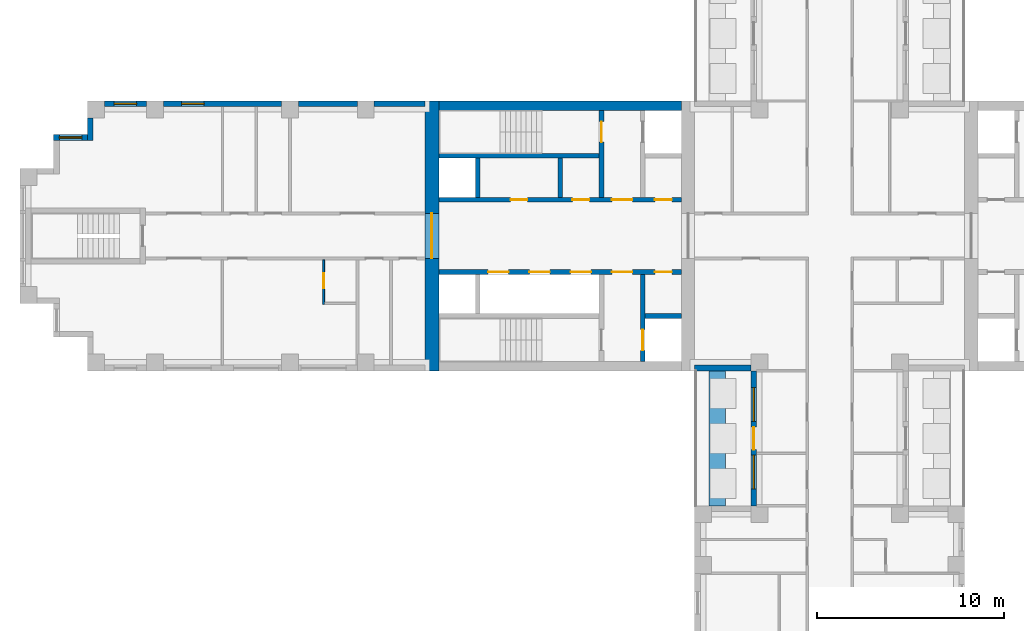
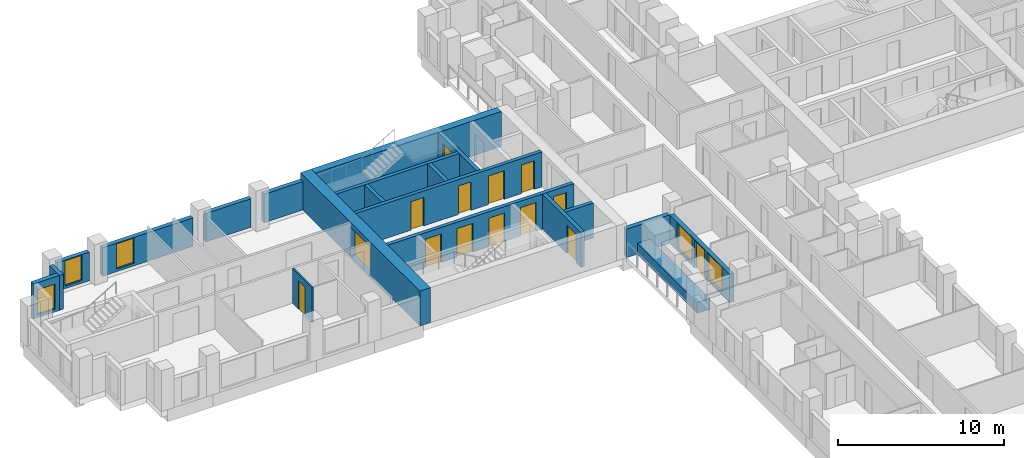
# One storey, part 6 of 13: 20 walls, 14 doors, 5 windows, 19 openings.
"""IFC4 building model written with IfcOpenShell, lengths in metres."""

from ifc_helpers import new_model, si_unit, direction, frame, frame_2d, origin, place, context, subcontext, project, spatial, rectangle, extrude, material, layer, layer_set, type_object, element, fill, save


model = new_model("IFC4")

# Units and contexts
model_context = context("Model", 3, precision=1e-05, world=origin(), true_north=direction((0.0, 1.0)))
body_context = subcontext(model_context, "Body", "Model", "MODEL_VIEW")
ifc_project = project(units=[si_unit("LENGTHUNIT", "METRE"), si_unit("AREAUNIT", "SQUARE_METRE"), si_unit("VOLUMEUNIT", "CUBIC_METRE"), si_unit("PLANEANGLEUNIT", "RADIAN"), si_unit("MASSUNIT", "GRAM", prefix="KILO")], contexts=[model_context])

# Site, building, storey
site_placement = place(None, origin())
site = spatial("IfcSite", under=ifc_project, at=site_placement, CompositionType="ELEMENT")
building_placement = place(site_placement, origin())
building = spatial("IfcBuilding", under=site, at=building_placement, Name="Fustian Cross Tower", CompositionType="ELEMENT")
storey_placement = place(building_placement, frame((0.0, 0.0, 75.89990234375)))
storey = spatial("IfcBuildingStorey", under=building, at=storey_placement, Name="L23", CompositionType="ELEMENT", Elevation=75.89990234375)

# Wall, opening, door
ifc_material_1 = material(Name="Concrete C70/85", Category="concrete")
ifc_layer_1 = layer(ifc_material_1, 0.75)
ifc_layer_set_1 = layer_set([ifc_layer_1], Name="Concrete C70/85")
wall_type_1 = type_object("IfcWallType", Name="CORE END WALL 750 C70/85", PredefinedType="SHEAR", material=ifc_layer_set_1)
wall_1_placement = place(storey_placement, frame((-21.22509765625, -7.199951171875, 0.0), z_axis=(0.0, 0.0, 1.0), x_axis=(0.0, 1.0, 0.0)))
wall_1 = element("IfcWall", 1, at=wall_1_placement, inside=storey, type_object=wall_type_1, Name="Core end wall", PredefinedType="SHEAR", context=body_context, shape_type="SweptSolid", body=[
    extrude(rectangle(XDim=14.39990234375, YDim=0.75, at=frame_2d((7.199951171875, 0.0))), origin(), (0.0, 0.0, 1.0), 2.5751953125),
])
opening_1_placement = place(wall_1_placement, frame((6.0, 0.0, 0.0)))
opening_1 = element("IfcOpeningElement", 2, at=opening_1_placement, cuts=wall_1, Name="Opening CD-10-28", PredefinedType="OPENING", context=body_context, shape_type="SweptSolid", body=[
    extrude(rectangle(XDim=2.39990234375, YDim=2.199951171875, at=frame_2d((1.199951171875, 1.10009765625))), frame((0.0, 0.385009765625, 0.0), z_axis=(0.0, -1.0, 0.0), x_axis=(1.0, 0.0, 0.0)), (0.0, 0.0, 1.0), 0.77001953125),
])
ifc_material_2 = material(Name="Steel", Category="steel")
door_type_1 = type_object("IfcDoorType", Name="FIRE DOOR FD30S DOUBLE 2400X2200", OperationType="DOUBLE_DOOR_DOUBLE_SWING", PredefinedType="DOOR", material=ifc_material_2)
door_1_placement = place(opening_1_placement, frame((2.39990234375, 0.0, 0.0), z_axis=(0.0, 0.0, 1.0), x_axis=(-1.0, 0.0, 0.0)))
door_1 = element("IfcDoor", 3, at=door_1_placement, inside=storey, type_object=door_type_1, Name="Core door CD-10-28", OperationType="DOUBLE_DOOR_DOUBLE_SWING", OverallHeight=2.199951171875, OverallWidth=2.39990234375, PredefinedType="DOOR", context=body_context, shape_type="SweptSolid", body=[
    extrude(rectangle(XDim=2.39990234375, YDim=2.199951171875, at=frame_2d((1.199951171875, 1.10009765625))), frame((0.0, 0.02490234375, 0.0), z_axis=(0.0, -1.0, 0.0), x_axis=(1.0, 0.0, 0.0)), (0.0, 0.0, 1.0), 0.050048828125),
])
fill(opening_1, door_1)

# Wall
ifc_material_3 = material(Name="Concrete C70/85", Category="concrete")
ifc_layer_2 = layer(ifc_material_3, 0.5)
ifc_layer_set_2 = layer_set([ifc_layer_2], Name="Concrete C70/85")
wall_type_2 = type_object("IfcWallType", Name="CORE FACADE WALL 500 C70/85", PredefinedType="SHEAR", material=ifc_layer_set_2)
wall_2_placement = place(storey_placement, frame((-7.89990234375, 6.949951171875, 0.0), z_axis=(0.0, 0.0, 1.0), x_axis=(-1.0, 0.0, 0.0)))
element("IfcWall", 4, at=wall_2_placement, inside=storey, type_object=wall_type_2, Name="Core facade wall", PredefinedType="SHEAR", context=body_context, shape_type="SweptSolid", body=[
    extrude(rectangle(XDim=12.9501953125, YDim=0.5, at=frame_2d((6.47509765625, 0.0))), origin(), (0.0, 0.0, 1.0), 2.5751953125),
])

# Wall, openings, doors
ifc_material_4 = material(Name="Concrete C50/60", Category="concrete")
ifc_layer_3 = layer(ifc_material_4, 0.25)
ifc_layer_set_3 = layer_set([ifc_layer_3], Name="Concrete C50/60")
wall_type_3 = type_object("IfcWallType", Name="CORE LOBBY WALL 250 C50/60", PredefinedType="SHEAR", material=ifc_layer_set_3)
wall_3_placement = place(storey_placement, frame((-7.89990234375, 1.925048828125, 0.0), z_axis=(0.0, 0.0, 1.0), x_axis=(-1.0, 0.0, 0.0)))
wall_3 = element("IfcWall", 5, at=wall_3_placement, inside=storey, type_object=wall_type_3, Name="Core lobby wall", PredefinedType="SHEAR", context=body_context, shape_type="SweptSolid", body=[
    extrude(rectangle(XDim=12.9501953125, YDim=0.25, at=frame_2d((6.47509765625, 0.0))), origin(), (0.0, 0.0, 1.0), 2.5751953125),
])
opening_2_placement = place(wall_3_placement, frame((0.52490234375, 0.0, 0.0)))
opening_2 = element("IfcOpeningElement", 6, at=opening_2_placement, cuts=wall_3, Name="Opening CD-10-23", PredefinedType="OPENING", context=body_context, shape_type="SweptSolid", body=[
    extrude(rectangle(XDim=0.89990234375, YDim=2.10009765625, at=frame_2d((0.449951171875, 1.050048828125))), frame((0.0, 0.135009765625, 0.0), z_axis=(0.0, -1.0, 0.0), x_axis=(1.0, 0.0, 0.0)), (0.0, 0.0, 1.0), 0.27001953125),
])
opening_3_placement = place(wall_3_placement, frame((2.625, 0.0, 0.0)))
opening_3 = element("IfcOpeningElement", 7, at=opening_3_placement, cuts=wall_3, Name="Opening CD-10-25", PredefinedType="OPENING", context=body_context, shape_type="SweptSolid", body=[
    extrude(rectangle(XDim=1.10009765625, YDim=2.10009765625, at=frame_2d((0.550048828125, 1.050048828125))), frame((0.0, 0.135009765625, 0.0), z_axis=(0.0, -1.0, 0.0), x_axis=(1.0, 0.0, 0.0)), (0.0, 0.0, 1.0), 0.27001953125),
])
opening_4_placement = place(wall_3_placement, frame((4.925048828125, 0.0, 0.0)))
opening_4 = element("IfcOpeningElement", 8, at=opening_4_placement, cuts=wall_3, Name="Opening CD-10-29", PredefinedType="OPENING", context=body_context, shape_type="SweptSolid", body=[
    extrude(rectangle(XDim=0.89990234375, YDim=2.10009765625, at=frame_2d((0.449951171875, 1.050048828125))), frame((0.0, 0.135009765625, 0.0), z_axis=(0.0, -1.0, 0.0), x_axis=(1.0, 0.0, 0.0)), (0.0, 0.0, 1.0), 0.27001953125),
])
opening_5_placement = place(wall_3_placement, frame((8.22509765625, 0.0, 0.0)))
opening_5 = element("IfcOpeningElement", 9, at=opening_5_placement, cuts=wall_3, Name="Opening CD-10-30", PredefinedType="OPENING", context=body_context, shape_type="SweptSolid", body=[
    extrude(rectangle(XDim=0.89990234375, YDim=2.10009765625, at=frame_2d((0.449951171875, 1.050048828125))), frame((0.0, 0.135009765625, 0.0), z_axis=(0.0, -1.0, 0.0), x_axis=(1.0, 0.0, 0.0)), (0.0, 0.0, 1.0), 0.27001953125),
])
ifc_material_5 = material(Name="Steel", Category="steel")
door_type_2 = type_object("IfcDoorType", Name="FIRE DOOR FD30S 900X2100", OperationType="SINGLE_SWING_LEFT", PredefinedType="DOOR", material=ifc_material_5)
door_2_placement = place(opening_4_placement, frame((0.89990234375, 0.0, 0.0), z_axis=(0.0, 0.0, 1.0), x_axis=(-1.0, 0.0, 0.0)))
door_2 = element("IfcDoor", 10, at=door_2_placement, inside=storey, type_object=door_type_2, Name="Core door CD-10-29", OperationType="SINGLE_SWING_RIGHT", OverallHeight=2.10009765625, OverallWidth=0.89990234375, PredefinedType="DOOR", context=body_context, shape_type="SweptSolid", body=[
    extrude(rectangle(XDim=0.89990234375, YDim=2.10009765625, at=frame_2d((0.449951171875, 1.050048828125))), frame((0.0, 0.02490234375, 0.0), z_axis=(0.0, -1.0, 0.0), x_axis=(1.0, 0.0, 0.0)), (0.0, 0.0, 1.0), 0.050048828125),
])
fill(opening_4, door_2)
door_3_placement = place(opening_5_placement, frame((0.89990234375, 0.0, 0.0), z_axis=(0.0, 0.0, 1.0), x_axis=(-1.0, 0.0, 0.0)))
door_3 = element("IfcDoor", 11, at=door_3_placement, inside=storey, type_object=door_type_2, Name="Core door CD-10-30", OperationType="SINGLE_SWING_LEFT", OverallHeight=2.10009765625, OverallWidth=0.89990234375, PredefinedType="DOOR", context=body_context, shape_type="SweptSolid", body=[
    extrude(rectangle(XDim=0.89990234375, YDim=2.10009765625, at=frame_2d((0.449951171875, 1.050048828125))), frame((0.0, 0.02490234375, 0.0), z_axis=(0.0, -1.0, 0.0), x_axis=(1.0, 0.0, 0.0)), (0.0, 0.0, 1.0), 0.050048828125),
])
fill(opening_5, door_3)
ifc_material_6 = material(Name="Steel", Category="steel")
door_type_3 = type_object("IfcDoorType", Name="FIRE DOOR FD60S 1100X2100", OperationType="SINGLE_SWING_LEFT", PredefinedType="DOOR", material=ifc_material_6)
door_4_placement = place(opening_3_placement, frame((1.10009765625, 0.0, 0.0), z_axis=(0.0, 0.0, 1.0), x_axis=(-1.0, 0.0, 0.0)))
door_4 = element("IfcDoor", 12, at=door_4_placement, inside=storey, type_object=door_type_3, Name="Core door CD-10-25", OperationType="SINGLE_SWING_RIGHT", OverallHeight=2.10009765625, OverallWidth=1.10009765625, PredefinedType="DOOR", context=body_context, shape_type="SweptSolid", body=[
    extrude(rectangle(XDim=1.10009765625, YDim=2.10009765625, at=frame_2d((0.550048828125, 1.050048828125))), frame((0.0, 0.02490234375, 0.0), z_axis=(0.0, -1.0, 0.0), x_axis=(1.0, 0.0, 0.0)), (0.0, 0.0, 1.0), 0.050048828125),
])
fill(opening_3, door_4)
ifc_material_7 = material(Name="Steel", Category="steel")
door_type_4 = type_object("IfcDoorType", Name="FIRE DOOR FD60S 900X2100", OperationType="SINGLE_SWING_LEFT", PredefinedType="DOOR", material=ifc_material_7)
door_5_placement = place(opening_2_placement, frame((0.89990234375, 0.0, 0.0), z_axis=(0.0, 0.0, 1.0), x_axis=(-1.0, 0.0, 0.0)))
door_5 = element("IfcDoor", 13, at=door_5_placement, inside=storey, type_object=door_type_4, Name="Core door CD-10-23", OperationType="SINGLE_SWING_RIGHT", OverallHeight=2.10009765625, OverallWidth=0.89990234375, PredefinedType="DOOR", context=body_context, shape_type="SweptSolid", body=[
    extrude(rectangle(XDim=0.89990234375, YDim=2.10009765625, at=frame_2d((0.449951171875, 1.050048828125))), frame((0.0, 0.02490234375, 0.0), z_axis=(0.0, -1.0, 0.0), x_axis=(1.0, 0.0, 0.0)), (0.0, 0.0, 1.0), 0.050048828125),
])
fill(opening_2, door_5)

wall_4_placement = place(storey_placement, frame((-7.89990234375, -1.925048828125, 0.0), z_axis=(0.0, 0.0, 1.0), x_axis=(-1.0, 0.0, 0.0)))
wall_4 = element("IfcWall", 14, at=wall_4_placement, inside=storey, type_object=wall_type_3, Name="Core lobby wall", PredefinedType="SHEAR", context=body_context, shape_type="SweptSolid", body=[
    extrude(rectangle(XDim=12.9501953125, YDim=0.25, at=frame_2d((6.47509765625, 0.0))), origin(), (0.0, 0.0, 1.0), 2.5751953125),
])
opening_6_placement = place(wall_4_placement, frame((4.824951171875, 0.0, 0.0)))
opening_6 = element("IfcOpeningElement", 15, at=opening_6_placement, cuts=wall_4, Name="Opening LD", PredefinedType="OPENING", context=body_context, shape_type="SweptSolid", body=[
    extrude(rectangle(XDim=1.10009765625, YDim=2.10009765625, at=frame_2d((0.550048828125, 1.050048828125))), frame((0.0, 0.135009765625, 0.0), z_axis=(0.0, -1.0, 0.0), x_axis=(1.0, 0.0, 0.0)), (0.0, 0.0, 1.0), 0.27001953125),
])
opening_7_placement = place(wall_4_placement, frame((7.02490234375, 0.0, 0.0)))
opening_7 = element("IfcOpeningElement", 16, at=opening_7_placement, cuts=wall_4, Name="Opening LD", PredefinedType="OPENING", context=body_context, shape_type="SweptSolid", body=[
    extrude(rectangle(XDim=1.10009765625, YDim=2.10009765625, at=frame_2d((0.550048828125, 1.050048828125))), frame((0.0, 0.135009765625, 0.0), z_axis=(0.0, -1.0, 0.0), x_axis=(1.0, 0.0, 0.0)), (0.0, 0.0, 1.0), 0.27001953125),
])
opening_8_placement = place(wall_4_placement, frame((9.22509765625, 0.0, 0.0)))
opening_8 = element("IfcOpeningElement", 17, at=opening_8_placement, cuts=wall_4, Name="Opening LD", PredefinedType="OPENING", context=body_context, shape_type="SweptSolid", body=[
    extrude(rectangle(XDim=1.10009765625, YDim=2.10009765625, at=frame_2d((0.550048828125, 1.050048828125))), frame((0.0, 0.135009765625, 0.0), z_axis=(0.0, -1.0, 0.0), x_axis=(1.0, 0.0, 0.0)), (0.0, 0.0, 1.0), 0.27001953125),
])
opening_9_placement = place(wall_4_placement, frame((0.52490234375, 0.0, 0.0)))
opening_9 = element("IfcOpeningElement", 18, at=opening_9_placement, cuts=wall_4, Name="Opening CD-10-24", PredefinedType="OPENING", context=body_context, shape_type="SweptSolid", body=[
    extrude(rectangle(XDim=0.89990234375, YDim=2.10009765625, at=frame_2d((0.449951171875, 1.050048828125))), frame((0.0, 0.135009765625, 0.0), z_axis=(0.0, -1.0, 0.0), x_axis=(1.0, 0.0, 0.0)), (0.0, 0.0, 1.0), 0.27001953125),
])
opening_10_placement = place(wall_4_placement, frame((2.625, 0.0, 0.0)))
opening_10 = element("IfcOpeningElement", 19, at=opening_10_placement, cuts=wall_4, Name="Opening CD-10-26", PredefinedType="OPENING", context=body_context, shape_type="SweptSolid", body=[
    extrude(rectangle(XDim=1.10009765625, YDim=2.10009765625, at=frame_2d((0.550048828125, 1.050048828125))), frame((0.0, 0.135009765625, 0.0), z_axis=(0.0, -1.0, 0.0), x_axis=(1.0, 0.0, 0.0)), (0.0, 0.0, 1.0), 0.27001953125),
])
ifc_material_8 = material(Name="Steel", Category="steel")
door_type_5 = type_object("IfcDoorType", Name="FIRE DOOR FD30S 1100X2100", OperationType="SINGLE_SWING_LEFT", PredefinedType="DOOR", material=ifc_material_8)
door_6_placement = place(opening_10_placement, frame((1.10009765625, 0.0, 0.0), z_axis=(0.0, 0.0, 1.0), x_axis=(-1.0, 0.0, 0.0)))
door_6 = element("IfcDoor", 20, at=door_6_placement, inside=storey, type_object=door_type_5, Name="Core door CD-10-26", OperationType="SINGLE_SWING_RIGHT", OverallHeight=2.10009765625, OverallWidth=1.10009765625, PredefinedType="DOOR", context=body_context, shape_type="SweptSolid", body=[
    extrude(rectangle(XDim=1.10009765625, YDim=2.10009765625, at=frame_2d((0.550048828125, 1.050048828125))), frame((0.0, 0.02490234375, 0.0), z_axis=(0.0, -1.0, 0.0), x_axis=(1.0, 0.0, 0.0)), (0.0, 0.0, 1.0), 0.050048828125),
])
fill(opening_10, door_6)
door_7_placement = place(opening_9_placement, origin())
door_7 = element("IfcDoor", 21, at=door_7_placement, inside=storey, type_object=door_type_2, Name="Core door CD-10-24", OperationType="SINGLE_SWING_LEFT", OverallHeight=2.10009765625, OverallWidth=0.89990234375, PredefinedType="DOOR", context=body_context, shape_type="SweptSolid", body=[
    extrude(rectangle(XDim=0.89990234375, YDim=2.10009765625, at=frame_2d((0.449951171875, 1.050048828125))), frame((0.0, 0.02490234375, 0.0), z_axis=(0.0, -1.0, 0.0), x_axis=(1.0, 0.0, 0.0)), (0.0, 0.0, 1.0), 0.050048828125),
])
fill(opening_9, door_7)
ifc_material_9 = material(Name="Stainless steel", Category="steel")
door_type_6 = type_object("IfcDoorType", Name="LIFT LANDING DOOR 1100X2100", OperationType="SLIDING_TO_LEFT", PredefinedType="DOOR", material=ifc_material_9)
door_8_placement = place(opening_6_placement, origin())
door_8 = element("IfcDoor", 22, at=door_8_placement, inside=storey, type_object=door_type_6, Name="Landing door LR1W", OperationType="SLIDING_TO_LEFT", OverallHeight=2.10009765625, OverallWidth=1.10009765625, PredefinedType="DOOR", context=body_context, shape_type="SweptSolid", body=[
    extrude(rectangle(XDim=1.10009765625, YDim=2.10009765625, at=frame_2d((0.550048828125, 1.050048828125))), frame((0.0, 0.02490234375, 0.0), z_axis=(0.0, -1.0, 0.0), x_axis=(1.0, 0.0, 0.0)), (0.0, 0.0, 1.0), 0.050048828125),
])
fill(opening_6, door_8)
door_9_placement = place(opening_7_placement, origin())
door_9 = element("IfcDoor", 23, at=door_9_placement, inside=storey, type_object=door_type_6, Name="Landing door LR2W", OperationType="SLIDING_TO_LEFT", OverallHeight=2.10009765625, OverallWidth=1.10009765625, PredefinedType="DOOR", context=body_context, shape_type="SweptSolid", body=[
    extrude(rectangle(XDim=1.10009765625, YDim=2.10009765625, at=frame_2d((0.550048828125, 1.050048828125))), frame((0.0, 0.02490234375, 0.0), z_axis=(0.0, -1.0, 0.0), x_axis=(1.0, 0.0, 0.0)), (0.0, 0.0, 1.0), 0.050048828125),
])
fill(opening_7, door_9)
door_10_placement = place(opening_8_placement, origin())
door_10 = element("IfcDoor", 24, at=door_10_placement, inside=storey, type_object=door_type_6, Name="Landing door LR3W", OperationType="SLIDING_TO_LEFT", OverallHeight=2.10009765625, OverallWidth=1.10009765625, PredefinedType="DOOR", context=body_context, shape_type="SweptSolid", body=[
    extrude(rectangle(XDim=1.10009765625, YDim=2.10009765625, at=frame_2d((0.550048828125, 1.050048828125))), frame((0.0, 0.02490234375, 0.0), z_axis=(0.0, -1.0, 0.0), x_axis=(1.0, 0.0, 0.0)), (0.0, 0.0, 1.0), 0.050048828125),
])
fill(opening_8, door_10)

# Wall
ifc_material_10 = material(Name="Concrete C50/60", Category="concrete")
ifc_layer_4 = layer(ifc_material_10, 0.25)
ifc_layer_set_4 = layer_set([ifc_layer_4], Name="Concrete C50/60")
wall_type_4 = type_object("IfcWallType", Name="CORE SHAFT WALL 250 C50/60", PredefinedType="SHEAR", material=ifc_layer_set_4)
wall_5_placement = place(storey_placement, frame((-12.300048828125, 4.27490234375, 0.0), z_axis=(0.0, 0.0, 1.0), x_axis=(-1.0, 0.0, 0.0)))
element("IfcWall", 25, at=wall_5_placement, inside=storey, type_object=wall_type_4, Name="Core shaft wall", PredefinedType="SHEAR", context=body_context, shape_type="SweptSolid", body=[
    extrude(rectangle(XDim=8.550048828125, YDim=0.25, at=frame_2d((4.27490234375, 0.0))), origin(), (0.0, 0.0, 1.0), 2.5751953125),
])

# Wall, opening, door
wall_6_placement = place(storey_placement, frame((-12.175048828125, 2.050048828125, 0.0), z_axis=(0.0, 0.0, 1.0), x_axis=(0.0, 1.0, 0.0)))
wall_6 = element("IfcWall", 26, at=wall_6_placement, inside=storey, type_object=wall_type_4, Name="Core shaft wall", PredefinedType="SHEAR", context=body_context, shape_type="SweptSolid", body=[
    extrude(rectangle(XDim=4.64990234375, YDim=0.25, at=frame_2d((2.324951171875, 0.0))), origin(), (0.0, 0.0, 1.0), 2.5751953125),
])
opening_11_placement = place(wall_6_placement, frame((2.949951171875, 0.0, 0.0)))
opening_11 = element("IfcOpeningElement", 27, at=opening_11_placement, cuts=wall_6, Name="Opening CD-10-21", PredefinedType="OPENING", context=body_context, shape_type="SweptSolid", body=[
    extrude(rectangle(XDim=1.10009765625, YDim=2.10009765625, at=frame_2d((0.550048828125, 1.050048828125))), frame((0.0, 0.135009765625, 0.0), z_axis=(0.0, -1.0, 0.0), x_axis=(1.0, 0.0, 0.0)), (0.0, 0.0, 1.0), 0.27001953125),
])
door_11_placement = place(opening_11_placement, origin())
door_11 = element("IfcDoor", 28, at=door_11_placement, inside=storey, type_object=door_type_3, Name="Core door CD-10-21", OperationType="SINGLE_SWING_LEFT", OverallHeight=2.10009765625, OverallWidth=1.10009765625, PredefinedType="DOOR", context=body_context, shape_type="SweptSolid", body=[
    extrude(rectangle(XDim=1.10009765625, YDim=2.10009765625, at=frame_2d((0.550048828125, 1.050048828125))), frame((0.0, 0.02490234375, 0.0), z_axis=(0.0, -1.0, 0.0), x_axis=(1.0, 0.0, 0.0)), (0.0, 0.0, 1.0), 0.050048828125),
])
fill(opening_11, door_11)

# Wall
wall_7_placement = place(storey_placement, frame((-7.89990234375, -4.27490234375, 0.0), z_axis=(0.0, 0.0, 1.0), x_axis=(-1.0, 0.0, 0.0)))
element("IfcWall", 29, at=wall_7_placement, inside=storey, type_object=wall_type_4, Name="Core shaft wall", PredefinedType="SHEAR", context=body_context, shape_type="SweptSolid", body=[
    extrude(rectangle(XDim=1.9501953125, YDim=0.25, at=frame_2d((0.97509765625, 0.0))), origin(), (0.0, 0.0, 1.0), 2.5751953125),
])

# Wall, opening, door
wall_8_placement = place(storey_placement, frame((-9.97509765625, -2.050048828125, 0.0), z_axis=(0.0, 0.0, 1.0), x_axis=(0.0, -1.0, 0.0)))
wall_8 = element("IfcWall", 30, at=wall_8_placement, inside=storey, type_object=wall_type_4, Name="Core shaft wall", PredefinedType="SHEAR", context=body_context, shape_type="SweptSolid", body=[
    extrude(rectangle(XDim=4.64990234375, YDim=0.25, at=frame_2d((2.324951171875, 0.0))), origin(), (0.0, 0.0, 1.0), 2.5751953125),
])
opening_12_placement = place(wall_8_placement, frame((2.949951171875, 0.0, 0.0)))
opening_12 = element("IfcOpeningElement", 31, at=opening_12_placement, cuts=wall_8, Name="Opening LD", PredefinedType="OPENING", context=body_context, shape_type="SweptSolid", body=[
    extrude(rectangle(XDim=1.10009765625, YDim=2.10009765625, at=frame_2d((0.550048828125, 1.050048828125))), frame((0.0, 0.135009765625, 0.0), z_axis=(0.0, -1.0, 0.0), x_axis=(1.0, 0.0, 0.0)), (0.0, 0.0, 1.0), 0.27001953125),
])
door_12_placement = place(opening_12_placement, origin())
door_12 = element("IfcDoor", 32, at=door_12_placement, inside=storey, type_object=door_type_6, Name="Landing door SV1W", OperationType="SLIDING_TO_LEFT", OverallHeight=2.10009765625, OverallWidth=1.10009765625, PredefinedType="DOOR", context=body_context, shape_type="SweptSolid", body=[
    extrude(rectangle(XDim=1.10009765625, YDim=2.10009765625, at=frame_2d((0.550048828125, 1.050048828125))), frame((0.0, 0.02490234375, 0.0), z_axis=(0.0, -1.0, 0.0), x_axis=(1.0, 0.0, 0.0)), (0.0, 0.0, 1.0), 0.050048828125),
])
fill(opening_12, door_12)

ifc_material_11 = material(Name="Plasterboard on steel stud", Category="steel")
ifc_layer_5 = layer(ifc_material_11, 0.10009765625)
ifc_layer_set_5 = layer_set([ifc_layer_5], Name="Plasterboard on steel stud")
wall_type_5 = type_object("IfcWallType", Name="PARTITION 100 STUD", PredefinedType="PARTITIONING", material=ifc_layer_set_5)
wall_9_placement = place(storey_placement, frame((-27.0, -3.64990234375, 0.0), z_axis=(0.0, 0.0, 1.0), x_axis=(0.0, 1.0, 0.0)))
wall_9 = element("IfcWall", 33, at=wall_9_placement, inside=storey, type_object=wall_type_5, Name="Partition 7", PredefinedType="PARTITIONING", context=body_context, shape_type="SweptSolid", body=[
    extrude(rectangle(XDim=2.375, YDim=0.10009765625, at=frame_2d((1.1875, 0.0))), origin(), (0.0, 0.0, 1.0), 2.5751953125),
])
opening_13_placement = place(wall_9_placement, frame((0.85009765625, 0.0, 0.0)))
opening_13 = element("IfcOpeningElement", 34, at=opening_13_placement, cuts=wall_9, Name="Opening D12030", PredefinedType="OPENING", context=body_context, shape_type="SweptSolid", body=[
    extrude(rectangle(XDim=0.800048828125, YDim=2.10009765625, at=frame_2d((0.39990234375, 1.050048828125))), frame((0.0, 0.06005859375, 0.0), z_axis=(0.0, -1.0, 0.0), x_axis=(1.0, 0.0, 0.0)), (0.0, 0.0, 1.0), 0.1201171875),
])
ifc_material_12 = material(Name="Painted timber", Category="wood")
door_type_7 = type_object("IfcDoorType", Name="SWING DOOR 800", OperationType="SINGLE_SWING_LEFT", PredefinedType="DOOR", material=ifc_material_12)
door_13_placement = place(opening_13_placement, frame((0.800048828125, 0.0, 0.0), z_axis=(0.0, 0.0, 1.0), x_axis=(-1.0, 0.0, 0.0)))
door_13 = element("IfcDoor", 35, at=door_13_placement, inside=storey, type_object=door_type_7, Name="Door D12030", OperationType="SINGLE_SWING_RIGHT", OverallHeight=2.10009765625, OverallWidth=0.800048828125, PredefinedType="DOOR", context=body_context, shape_type="SweptSolid", body=[
    extrude(rectangle(XDim=0.800048828125, YDim=2.10009765625, at=frame_2d((0.39990234375, 1.050048828125))), frame((0.0, 0.02490234375, 0.0), z_axis=(0.0, -1.0, 0.0), x_axis=(1.0, 0.0, 0.0)), (0.0, 0.0, 1.0), 0.050048828125),
])
fill(opening_13, door_13)

# Walls
ifc_material_13 = material(Name="Concrete C40/50", Category="concrete")
ifc_layer_6 = layer(ifc_material_13, 0.89990234375)
ifc_layer_set_6 = layer_set([ifc_layer_6], Name="Concrete C40/50")
wall_type_6 = type_object("IfcWallType", Name="PK1 PLANTER 900", PredefinedType="PARAPET", material=ifc_layer_set_6)
wall_10_placement = place(storey_placement, frame((-6.0, -14.39990234375, 0.0), z_axis=(0.0, 0.0, 1.0), x_axis=(0.0, 1.0, 0.0)))
element("IfcWall", 36, at=wall_10_placement, inside=storey, type_object=wall_type_6, Name="PLANTER", PredefinedType="PARAPET", context=body_context, shape_type="SweptSolid", body=[
    extrude(rectangle(XDim=7.199951171875, YDim=0.89990234375, at=frame_2d((3.60009765625, 0.0))), origin(), (0.0, 0.0, 1.0), 0.800048828125),
])
ifc_material_14 = material(Name="Concrete C40/50", Category="concrete")
ifc_layer_7 = layer(ifc_material_14, 0.25)
ifc_layer_set_7 = layer_set([ifc_layer_7], Name="Concrete C40/50")
wall_type_7 = type_object("IfcWallType", Name="SHAFT PARTITION WALL 250 C40/50", PredefinedType="PARTITIONING", material=ifc_layer_set_7)
for number, where, z_axis, x_axis, name in (
    (37, (-14.375, 2.050048828125, 0.0), (0.0, 0.0, 1.0), (0.0, 1.0, 0.0), "Core shaft wall"),
    (38, (-18.77490234375, 2.050048828125, 0.0), (0.0, 0.0, 1.0), (0.0, 1.0, 0.0), "Core shaft wall"),
):
    element("IfcWall", number, at=place(storey_placement, frame(where, z_axis=z_axis, x_axis=x_axis)), inside=storey, type_object=wall_type_7, Name=name, PredefinedType="PARTITIONING", context=body_context, shape_type="SweptSolid", body=[
        extrude(rectangle(XDim=2.099853515625, YDim=0.25, at=frame_2d((1.0498046875, 0.0))), origin(), (0.0, 0.0, 1.0), 2.5751953125),
    ])
ifc_material_15 = material(Name="Dark aluminium cladding on insulated backing wall", Category="aluminium")
ifc_layer_8 = layer(ifc_material_15, 0.300048828125)
ifc_layer_set_8 = layer_set([ifc_layer_8], Name="Dark aluminium cladding on insulated backing wall")
wall_type_8 = type_object("IfcWallType", Name="XW1 EXTERNAL WALL 300", PredefinedType="SOLIDWALL", material=ifc_layer_set_8)
wall_11_placement = place(storey_placement, frame((-21.60009765625, 7.050048828125, 0.0), z_axis=(0.0, 0.0, 1.0), x_axis=(-1.0, 0.0, 0.0)))
element("IfcWall", 39, at=wall_11_placement, inside=storey, type_object=wall_type_8, Name="External wall", PredefinedType="SOLIDWALL", context=body_context, shape_type="SweptSolid", body=[
    extrude(rectangle(XDim=2.699951171875, YDim=0.300048828125, at=frame_2d((1.35009765625, 0.0))), origin(), (0.0, 0.0, 1.0), 2.10009765625),
])
wall_12_placement = place(storey_placement, frame((-25.199951171875, 7.050048828125, 0.0), z_axis=(0.0, 0.0, 1.0), x_axis=(-1.0, 0.0, 0.0)))
element("IfcWall", 40, at=wall_12_placement, inside=storey, type_object=wall_type_8, Name="External wall", PredefinedType="SOLIDWALL", context=body_context, shape_type="SweptSolid", body=[
    extrude(rectangle(XDim=3.150146484375, YDim=0.300048828125, at=frame_2d((1.5751953125, 0.0))), origin(), (0.0, 0.0, 1.0), 2.10009765625),
])

# Wall, opening, window
wall_13_placement = place(storey_placement, frame((-29.25, 7.050048828125, 0.0), z_axis=(0.0, 0.0, 1.0), x_axis=(-1.0, 0.0, 0.0)))
wall_13 = element("IfcWall", 41, at=wall_13_placement, inside=storey, type_object=wall_type_8, Name="External wall", PredefinedType="SOLIDWALL", context=body_context, shape_type="SweptSolid", body=[
    extrude(rectangle(XDim=6.300048828125, YDim=0.300048828125, at=frame_2d((3.14990234375, 0.0))), origin(), (0.0, 0.0, 1.0), 2.10009765625),
])
opening_14_placement = place(wall_13_placement, frame((4.125, 0.0, 0.199951171875)))
opening_14 = element("IfcOpeningElement", 42, at=opening_14_placement, cuts=wall_13, Name="Opening WN3", PredefinedType="OPENING", context=body_context, shape_type="SweptSolid", body=[
    extrude(rectangle(XDim=1.199951171875, YDim=1.85009765625, at=frame_2d((0.60009765625, 0.925048828125))), frame((0.0, 0.159912109375, 0.0), z_axis=(0.0, -1.0, 0.0), x_axis=(1.0, 0.0, 0.0)), (0.0, 0.0, 1.0), 0.320068359375),
])
ifc_material_16 = material(Name="Dark anodised aluminium and double glazing", Category="aluminium")
window_type_1 = type_object("IfcWindowType", Name="WN3 WINDOW 1200X1850", PartitioningType="SINGLE_PANEL", PredefinedType="WINDOW", material=ifc_material_16)
window_1_placement = place(opening_14_placement, origin())
window_1 = element("IfcWindow", 43, at=window_1_placement, inside=storey, type_object=window_type_1, Name="Window", OverallHeight=1.85009765625, OverallWidth=1.199951171875, PartitioningType="SINGLE_PANEL", PredefinedType="WINDOW", context=body_context, shape_type="SweptSolid", body=[
    extrude(rectangle(XDim=1.199951171875, YDim=1.85009765625, at=frame_2d((0.60009765625, 0.925048828125))), frame((0.0, 0.030029296875, 0.0), z_axis=(0.0, -1.0, 0.0), x_axis=(1.0, 0.0, 0.0)), (0.0, 0.0, 1.0), 0.06005859375),
])
fill(opening_14, window_1)

wall_14_placement = place(storey_placement, frame((-36.449951171875, 7.050048828125, 0.0), z_axis=(0.0, 0.0, 1.0), x_axis=(-1.0, 0.0, 0.0)))
wall_14 = element("IfcWall", 44, at=wall_14_placement, inside=storey, type_object=wall_type_8, Name="External wall", PredefinedType="SOLIDWALL", context=body_context, shape_type="SweptSolid", body=[
    extrude(rectangle(XDim=2.25, YDim=0.300048828125, at=frame_2d((1.125, 0.0))), origin(), (0.0, 0.0, 1.0), 2.10009765625),
])
opening_15_placement = place(wall_14_placement, frame((0.52490234375, 0.0, 0.199951171875)))
opening_15 = element("IfcOpeningElement", 45, at=opening_15_placement, cuts=wall_14, Name="Opening WN3", PredefinedType="OPENING", context=body_context, shape_type="SweptSolid", body=[
    extrude(rectangle(XDim=1.199951171875, YDim=1.85009765625, at=frame_2d((0.60009765625, 0.925048828125))), frame((0.0, 0.159912109375, 0.0), z_axis=(0.0, -1.0, 0.0), x_axis=(1.0, 0.0, 0.0)), (0.0, 0.0, 1.0), 0.320068359375),
])
window_2_placement = place(opening_15_placement, origin())
window_2 = element("IfcWindow", 46, at=window_2_placement, inside=storey, type_object=window_type_1, Name="Window", OverallHeight=1.85009765625, OverallWidth=1.199951171875, PartitioningType="SINGLE_PANEL", PredefinedType="WINDOW", context=body_context, shape_type="SweptSolid", body=[
    extrude(rectangle(XDim=1.199951171875, YDim=1.85009765625, at=frame_2d((0.60009765625, 0.925048828125))), frame((0.0, 0.030029296875, 0.0), z_axis=(0.0, -1.0, 0.0), x_axis=(1.0, 0.0, 0.0)), (0.0, 0.0, 1.0), 0.06005859375),
])
fill(opening_15, window_2)

# Wall
wall_15_placement = place(storey_placement, frame((-39.449951171875, 6.300048828125, 0.0), z_axis=(0.0, 0.0, 1.0), x_axis=(0.0, -1.0, 0.0)))
element("IfcWall", 47, at=wall_15_placement, inside=storey, type_object=wall_type_8, Name="External wall", PredefinedType="SOLIDWALL", context=body_context, shape_type="SweptSolid", body=[
    extrude(rectangle(XDim=1.199951171875, YDim=0.300048828125, at=frame_2d((0.60009765625, 0.0))), origin(), (0.0, 0.0, 1.0), 2.5751953125),
])

# Wall, opening, window
wall_16_placement = place(storey_placement, frame((-39.60009765625, 5.25, 0.0), z_axis=(0.0, 0.0, 1.0), x_axis=(-1.0, 0.0, 0.0)))
wall_16 = element("IfcWall", 48, at=wall_16_placement, inside=storey, type_object=wall_type_8, Name="External wall", PredefinedType="SOLIDWALL", context=body_context, shape_type="SweptSolid", body=[
    extrude(rectangle(XDim=1.7998046875, YDim=0.300048828125, at=frame_2d((0.89990234375, 0.0))), origin(), (0.0, 0.0, 1.0), 2.5751953125),
])
opening_16_placement = place(wall_16_placement, frame((0.300048828125, 0.0, 0.199951171875)))
opening_16 = element("IfcOpeningElement", 49, at=opening_16_placement, cuts=wall_16, Name="Opening WN3", PredefinedType="OPENING", context=body_context, shape_type="SweptSolid", body=[
    extrude(rectangle(XDim=1.199951171875, YDim=1.85009765625, at=frame_2d((0.60009765625, 0.925048828125))), frame((0.0, 0.159912109375, 0.0), z_axis=(0.0, -1.0, 0.0), x_axis=(1.0, 0.0, 0.0)), (0.0, 0.0, 1.0), 0.320068359375),
])
window_3_placement = place(opening_16_placement, origin())
window_3 = element("IfcWindow", 50, at=window_3_placement, inside=storey, type_object=window_type_1, Name="Window", OverallHeight=1.85009765625, OverallWidth=1.199951171875, PartitioningType="SINGLE_PANEL", PredefinedType="WINDOW", context=body_context, shape_type="SweptSolid", body=[
    extrude(rectangle(XDim=1.199951171875, YDim=1.85009765625, at=frame_2d((0.60009765625, 0.925048828125))), frame((0.0, 0.030029296875, 0.0), z_axis=(0.0, -1.0, 0.0), x_axis=(1.0, 0.0, 0.0)), (0.0, 0.0, 1.0), 0.06005859375),
])
fill(opening_16, window_3)

# Wall
wall_17_placement = place(storey_placement, frame((-7.199951171875, -7.050048828125, 0.0), z_axis=(0.0, 0.0, 1.0), x_axis=(1.0, 0.0, 0.0)))
element("IfcWall", 51, at=wall_17_placement, inside=storey, type_object=wall_type_8, Name="External wall", PredefinedType="SOLIDWALL", context=body_context, shape_type="SweptSolid", body=[
    extrude(rectangle(XDim=3.0, YDim=0.300048828125, at=frame_2d((1.5, 0.0))), origin(), (0.0, 0.0, 1.0), 2.10009765625),
])

# Wall, openings, door, windows
wall_18_placement = place(storey_placement, frame((-4.050048828125, -7.199951171875, 0.0), z_axis=(0.0, 0.0, 1.0), x_axis=(0.0, -1.0, 0.0)))
wall_18 = element("IfcWall", 52, at=wall_18_placement, inside=storey, type_object=wall_type_8, Name="External wall", PredefinedType="SOLIDWALL", context=body_context, shape_type="SweptSolid", body=[
    extrude(rectangle(XDim=7.199951171875, YDim=0.300048828125, at=frame_2d((3.60009765625, 0.0))), origin(), (0.0, 0.0, 1.0), 2.10009765625),
])
opening_17_placement = place(wall_18_placement, frame((3.0, 0.0, 0.0)))
opening_17 = element("IfcOpeningElement", 53, at=opening_17_placement, cuts=wall_18, Name="Opening XD4", PredefinedType="OPENING", context=body_context, shape_type="SweptSolid", body=[
    extrude(rectangle(XDim=1.199951171875, YDim=2.050048828125, at=frame_2d((0.60009765625, 1.02490234375))), frame((0.0, 0.159912109375, 0.0), z_axis=(0.0, -1.0, 0.0), x_axis=(1.0, 0.0, 0.0)), (0.0, 0.0, 1.0), 0.320068359375),
])
opening_18_placement = place(wall_18_placement, frame((0.89990234375, 0.0, 0.199951171875)))
opening_18 = element("IfcOpeningElement", 54, at=opening_18_placement, cuts=wall_18, Name="Opening WN2", PredefinedType="OPENING", context=body_context, shape_type="SweptSolid", body=[
    extrude(rectangle(XDim=1.800048828125, YDim=1.85009765625, at=frame_2d((0.89990234375, 0.925048828125))), frame((0.0, 0.159912109375, 0.0), z_axis=(0.0, -1.0, 0.0), x_axis=(1.0, 0.0, 0.0)), (0.0, 0.0, 1.0), 0.320068359375),
])
opening_19_placement = place(wall_18_placement, frame((4.5, 0.0, 0.199951171875)))
opening_19 = element("IfcOpeningElement", 55, at=opening_19_placement, cuts=wall_18, Name="Opening WN2", PredefinedType="OPENING", context=body_context, shape_type="SweptSolid", body=[
    extrude(rectangle(XDim=1.800048828125, YDim=1.85009765625, at=frame_2d((0.89990234375, 0.925048828125))), frame((0.0, 0.159912109375, 0.0), z_axis=(0.0, -1.0, 0.0), x_axis=(1.0, 0.0, 0.0)), (0.0, 0.0, 1.0), 0.320068359375),
])
ifc_material_17 = material(Name="Dark anodised aluminium and double glazing", Category="aluminium")
door_type_8 = type_object("IfcDoorType", Name="ED1 BALCONY DOOR 1200X2050", OperationType="SINGLE_SWING_LEFT", PredefinedType="DOOR", material=ifc_material_17)
door_14_placement = place(opening_17_placement, origin())
door_14 = element("IfcDoor", 56, at=door_14_placement, inside=storey, type_object=door_type_8, Name="Balcony door", OperationType="SINGLE_SWING_LEFT", OverallHeight=2.050048828125, OverallWidth=1.199951171875, PredefinedType="DOOR", context=body_context, shape_type="SweptSolid", body=[
    extrude(rectangle(XDim=1.199951171875, YDim=2.050048828125, at=frame_2d((0.60009765625, 1.02490234375))), frame((0.0, 0.02490234375, 0.0), z_axis=(0.0, -1.0, 0.0), x_axis=(1.0, 0.0, 0.0)), (0.0, 0.0, 1.0), 0.050048828125),
])
fill(opening_17, door_14)
ifc_material_18 = material(Name="Dark anodised aluminium and double glazing", Category="aluminium")
window_type_2 = type_object("IfcWindowType", Name="WN2 WINDOW 1800X1850", PartitioningType="SINGLE_PANEL", PredefinedType="WINDOW", material=ifc_material_18)
window_4_placement = place(opening_18_placement, origin())
window_4 = element("IfcWindow", 57, at=window_4_placement, inside=storey, type_object=window_type_2, Name="Window", OverallHeight=1.85009765625, OverallWidth=1.800048828125, PartitioningType="SINGLE_PANEL", PredefinedType="WINDOW", context=body_context, shape_type="SweptSolid", body=[
    extrude(rectangle(XDim=1.800048828125, YDim=1.85009765625, at=frame_2d((0.89990234375, 0.925048828125))), frame((0.0, 0.030029296875, 0.0), z_axis=(0.0, -1.0, 0.0), x_axis=(1.0, 0.0, 0.0)), (0.0, 0.0, 1.0), 0.06005859375),
])
fill(opening_18, window_4)
window_5_placement = place(opening_19_placement, origin())
window_5 = element("IfcWindow", 58, at=window_5_placement, inside=storey, type_object=window_type_2, Name="Window", OverallHeight=1.85009765625, OverallWidth=1.800048828125, PartitioningType="SINGLE_PANEL", PredefinedType="WINDOW", context=body_context, shape_type="SweptSolid", body=[
    extrude(rectangle(XDim=1.800048828125, YDim=1.85009765625, at=frame_2d((0.89990234375, 0.925048828125))), frame((0.0, 0.030029296875, 0.0), z_axis=(0.0, -1.0, 0.0), x_axis=(1.0, 0.0, 0.0)), (0.0, 0.0, 1.0), 0.06005859375),
])
fill(opening_19, window_5)

save(model, "model.ifc")
